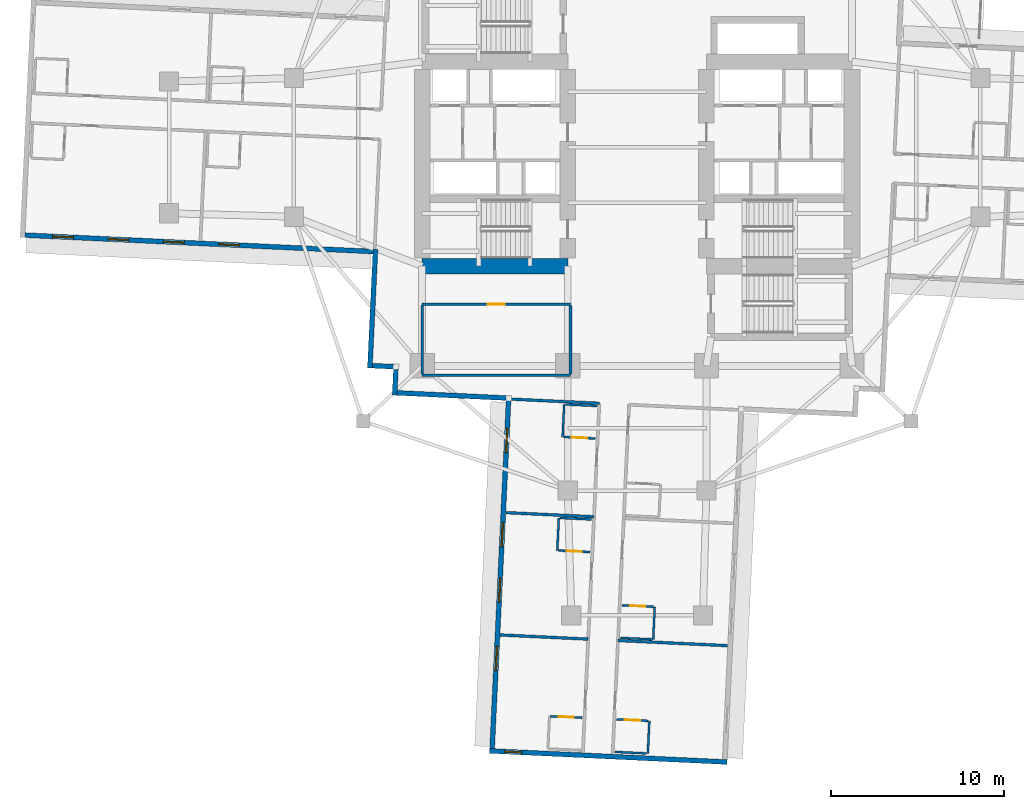
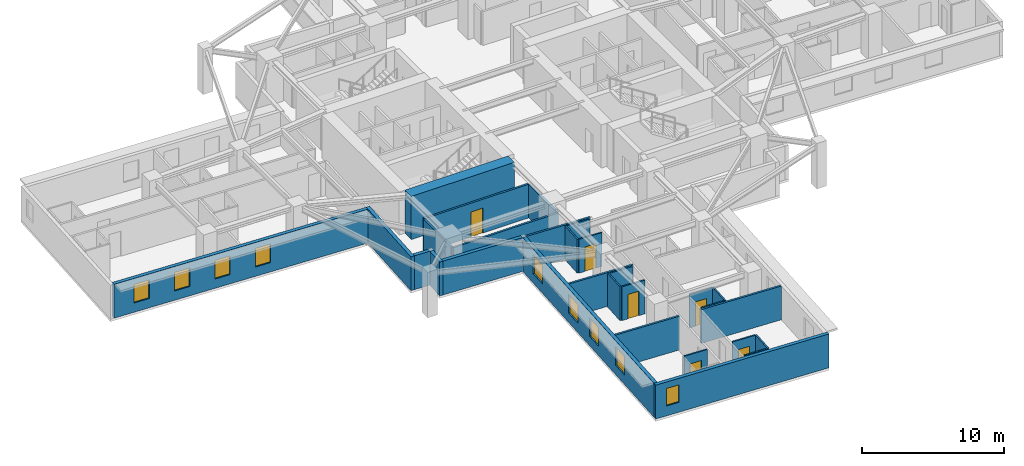
# One storey, part 3 of 14: 29 walls, 9 windows, 6 doors, 15 openings.
"""IFC4 building model written with IfcOpenShell, lengths in metres."""

from ifc_helpers import new_model, si_unit, direction, frame, frame_2d, origin, place, context, subcontext, project, spatial, rectangle, extrude, material, layer, layer_set, type_object, element, fill, save


model = new_model("IFC4")

# Units and contexts
model_context = context("Model", 3, precision=1e-05, world=origin(), true_north=direction((0.0, 1.0)))
body_context = subcontext(model_context, "Body", "Model", "MODEL_VIEW")
ifc_project = project(units=[si_unit("LENGTHUNIT", "METRE"), si_unit("AREAUNIT", "SQUARE_METRE"), si_unit("VOLUMEUNIT", "CUBIC_METRE"), si_unit("PLANEANGLEUNIT", "RADIAN"), si_unit("MASSUNIT", "GRAM", prefix="KILO")], contexts=[model_context])

# Site, building, storey
site_placement = place(None, origin())
site = spatial("IfcSite", under=ifc_project, at=site_placement, CompositionType="ELEMENT")
building_placement = place(site_placement, origin())
building = spatial("IfcBuilding", under=site, at=building_placement, Name="Qingluan Cross Belvedere", CompositionType="ELEMENT")
storey_placement = place(building_placement, frame((0.0, 0.0, 75.60009765625)))
storey = spatial("IfcBuildingStorey", under=building, at=storey_placement, Name="L19", CompositionType="ELEMENT", Elevation=75.60009765625)

# Walls
ifc_material_1 = material(Name="Concrete C70", Category="concrete")
ifc_layer_1 = layer(ifc_material_1, 0.89990234375, Name="CoreShearWall_900")
ifc_layer_set_1 = layer_set([ifc_layer_1], Name="Concrete C70")
wall_type_1 = type_object("IfcWallType", Name="CoreShearWall_900", PredefinedType="SHEAR", material=ifc_layer_set_1)
wall_1_placement = place(storey_placement, frame((-12.39990234375, -6.85009765625, 0.0), z_axis=(0.0, 0.0, 1.0), x_axis=(1.0, 0.0, 0.0)))
element("IfcWall", 1, at=wall_1_placement, inside=storey, type_object=wall_type_1, Name="Split core W shear wall L19-S", PredefinedType="SHEAR", context=body_context, shape_type="SweptSolid", body=[
    extrude(rectangle(XDim=8.39990234375, YDim=0.89990234375, at=frame_2d((4.199951171875, 0.0))), origin(), (0.0, 0.0, 1.0), 3.699951171875),
])
ifc_material_2 = material(Name="Gypsum plasterboard on steel stud acoustic partition", Category="steel")
ifc_layer_2 = layer(ifc_material_2, 0.159912109375, Name="CorridorPartition_160")
ifc_layer_set_2 = layer_set([ifc_layer_2], Name="Gypsum plasterboard on steel stud acoustic partition")
wall_type_2 = type_object("IfcWallType", Name="CorridorPartition_160", PredefinedType="PARTITIONING", material=ifc_layer_set_2)
wall_2_placement = place(storey_placement, frame((-12.39990234375, -13.14990234375, 0.0), z_axis=(0.0, 0.0, 1.0), x_axis=(1.0, 0.0, 0.0)))
element("IfcWall", 2, at=wall_2_placement, inside=storey, type_object=wall_type_2, Name="Partition L19:q_sw:S", PredefinedType="PARTITIONING", context=body_context, shape_type="SweptSolid", body=[
    extrude(rectangle(XDim=8.5498046875, YDim=0.159912109375, at=frame_2d((4.27490234375, 0.0))), origin(), (0.0, 0.0, 1.0), 2.89990234375),
])

# Wall, opening, door
wall_3_placement = place(storey_placement, frame((-12.39990234375, -9.050048828125, 0.0), z_axis=(0.0, 0.0, 1.0), x_axis=(1.0, 0.0, 0.0)))
wall_3 = element("IfcWall", 3, at=wall_3_placement, inside=storey, type_object=wall_type_2, Name="Partition L19:q_sw:N", PredefinedType="PARTITIONING", context=body_context, shape_type="SweptSolid", body=[
    extrude(rectangle(XDim=8.5498046875, YDim=0.159912109375, at=frame_2d((4.27490234375, 0.0))), origin(), (0.0, 0.0, 1.0), 2.89990234375),
])
opening_1_placement = place(wall_3_placement, frame((3.794921875, 0.0, 0.0)))
opening_1 = element("IfcOpeningElement", 4, at=opening_1_placement, cuts=wall_3, Name="Opening GD-10", PredefinedType="OPENING", context=body_context, shape_type="SweptSolid", body=[
    extrude(rectangle(XDim=0.9599609375, YDim=2.14990234375, at=frame_2d((0.47998046875, 1.074951171875))), frame((0.0, 0.08984375, 0.0), z_axis=(0.0, -1.0, 0.0), x_axis=(1.0, 0.0, 0.0)), (0.0, 0.0, 1.0), 0.179931640625),
])
ifc_material_3 = material(Name="Timber oak fire-rated acoustic guestroom door", Category="wood")
door_type_1 = type_object("IfcDoorType", Name="GuestEntryDoor_FD60", OperationType="NOTDEFINED", PredefinedType="DOOR", material=ifc_material_3)
door_1_placement = place(opening_1_placement, origin())
door_1 = element("IfcDoor", 5, at=door_1_placement, inside=storey, type_object=door_type_1, Name="Calligraphy study room L19 door", OperationType="SINGLE_SWING_RIGHT", OverallHeight=2.14990234375, OverallWidth=0.9599609375, PredefinedType="DOOR", context=body_context, shape_type="SweptSolid", body=[
    extrude(rectangle(XDim=0.9599609375, YDim=2.14990234375, at=frame_2d((0.47998046875, 1.074951171875))), frame((0.0, 0.02490234375, 0.0), z_axis=(0.0, -1.0, 0.0), x_axis=(1.0, 0.0, 0.0)), (0.0, 0.0, 1.0), 0.050048828125),
])
fill(opening_1, door_1)

# Walls
for number, where, z_axis, x_axis, name in (
    (6, (-12.39990234375, -13.06494140625, 0.0), (0.0, 0.0, 1.0), (0.0, 1.0, 0.0), "Partition L19:q_sw:W"),
    (7, (-3.85009765625, -13.06494140625, 0.0), (0.0, 0.0, 1.0), (0.0, 1.0, 0.0), "Partition L19:q_sw:E"),
):
    element("IfcWall", number, at=place(storey_placement, frame(where, z_axis=z_axis, x_axis=x_axis)), inside=storey, type_object=wall_type_2, Name=name, PredefinedType="PARTITIONING", context=body_context, shape_type="SweptSolid", body=[
        extrude(rectangle(XDim=3.929931640625, YDim=0.159912109375, at=frame_2d((1.96484375, 0.0))), origin(), (0.0, 0.0, 1.0), 2.89990234375),
    ])
wall_4_placement = place(storey_placement, frame((-1.101318359375, -28.45068359375, 0.0), z_axis=(0.0, 0.0, 1.0), x_axis=(0.99889113728, -0.047079675697, 0.0)))
element("IfcWall", 8, at=wall_4_placement, inside=storey, type_object=wall_type_2, Name="Partition L19:S:d0_1", PredefinedType="PARTITIONING", context=body_context, shape_type="SweptSolid", body=[
    extrude(rectangle(XDim=6.331787109375, YDim=0.159912109375, at=frame_2d((3.166015625, 0.0))), origin(), (0.0, 0.0, 1.0), 2.89990234375),
])
wall_5_placement = place(storey_placement, frame((-2.177978515625, -14.763916015625, 0.0), z_axis=(0.0, 0.0, 1.0), x_axis=(-0.998889957338, 0.047104703898, 0.0)))
element("IfcWall", 9, at=wall_5_placement, inside=storey, type_object=wall_type_2, Name="Partition L19:S:s1", PredefinedType="PARTITIONING", context=body_context, shape_type="SweptSolid", body=[
    extrude(rectangle(XDim=5.239990234375, YDim=0.159912109375, at=frame_2d((2.6201171875, 0.0))), origin(), (0.0, 0.0, 1.0), 2.89990234375),
])
for number, where, z_axis, x_axis, name in (
    (10, (-2.48681640625, -21.3125, 0.0), (0.0, 0.0, 1.0), (-0.998890911052, 0.047084475335, 0.0), "Partition L19:S:d1_0"),
    (11, (-2.819580078125, -28.36962890625, 0.0), (0.0, 0.0, 1.0), (-0.998890911052, 0.047084475335, 0.0), "Partition L19:S:d1_1"),
):
    element("IfcWall", number, at=place(storey_placement, frame(where, z_axis=z_axis, x_axis=x_axis)), inside=storey, type_object=wall_type_2, Name=name, PredefinedType="PARTITIONING", context=body_context, shape_type="SweptSolid", body=[
        extrude(rectangle(XDim=5.091796875, YDim=0.159912109375, at=frame_2d((2.5458984375, 0.0))), origin(), (0.0, 0.0, 1.0), 2.89990234375),
    ])

# Wall, opening, door
ifc_material_4 = material(Name="Moisture-resistant gypsum board lining")
ifc_layer_3 = layer(ifc_material_4, 0.1201171875, Name="EnsuiteWetPartition_120")
ifc_layer_set_3 = layer_set([ifc_layer_3], Name="Moisture-resistant gypsum board lining")
wall_type_3 = type_object("IfcWallType", Name="EnsuiteWetPartition_120", PredefinedType="PARTITIONING", material=ifc_layer_set_3)
wall_6_placement = place(storey_placement, frame((-0.865478515625, -26.419677734375, 0.0), z_axis=(0.0, 0.0, 1.0), x_axis=(0.998890786574, -0.047087116047, 0.0)))
wall_6 = element("IfcWall", 12, at=wall_6_placement, inside=storey, type_object=wall_type_3, Name="Partition L19:S:bs0_1", PredefinedType="PARTITIONING", context=body_context, shape_type="SweptSolid", body=[
    extrude(rectangle(XDim=1.81982421875, YDim=0.1201171875, at=frame_2d((0.909912109375, 0.0))), origin(), (0.0, 0.0, 1.0), 2.89990234375),
])
opening_2_placement = place(wall_6_placement, frame((0.469970703125, 0.0, 0.0)))
opening_2 = element("IfcOpeningElement", 13, at=opening_2_placement, cuts=wall_6, Name="Opening BD-09", PredefinedType="OPENING", context=body_context, shape_type="SweptSolid", body=[
    extrude(rectangle(XDim=0.8798828125, YDim=2.10009765625, at=frame_2d((0.43994140625, 1.050048828125))), frame((0.0, 0.070068359375, 0.0), z_axis=(0.0, -1.0, 0.0), x_axis=(1.0, 0.0, 0.0)), (0.0, 0.0, 1.0), 0.14013671875),
])
ifc_material_5 = material(Name="Moisture-sealed timber en-suite door", Category="wood")
door_type_2 = type_object("IfcDoorType", Name="BathroomDoor_880", OperationType="NOTDEFINED", PredefinedType="DOOR", material=ifc_material_5)
door_2_placement = place(opening_2_placement, origin())
door_2 = element("IfcDoor", 14, at=door_2_placement, inside=storey, type_object=door_type_2, Name="Bathroom door 1914", OperationType="SINGLE_SWING_RIGHT", OverallHeight=2.10009765625, OverallWidth=0.8798828125, PredefinedType="DOOR", context=body_context, shape_type="SweptSolid", body=[
    extrude(rectangle(XDim=0.8798828125, YDim=2.10009765625, at=frame_2d((0.43994140625, 1.050048828125))), frame((0.0, 0.02490234375, 0.0), z_axis=(0.0, -1.0, 0.0), x_axis=(1.0, 0.0, 0.0)), (0.0, 0.0, 1.0), 0.050048828125),
])
fill(opening_2, door_2)

# Walls
wall_7_placement = place(storey_placement, frame((-0.9541015625, -28.297607421875, 0.0), z_axis=(0.0, 0.0, 1.0), x_axis=(0.998891083954, -0.047080807099, 0.0)))
element("IfcWall", 15, at=wall_7_placement, inside=storey, type_object=wall_type_3, Name="Partition L19:S:bw0_1", PredefinedType="PARTITIONING", context=body_context, shape_type="SweptSolid", body=[
    extrude(rectangle(XDim=1.820068359375, YDim=0.1201171875, at=frame_2d((0.91015625, 0.0))), origin(), (0.0, 0.0, 1.0), 2.89990234375),
])
wall_8_placement = place(storey_placement, frame((1.017333984375, -26.50830078125, 0.0), z_axis=(0.0, 0.0, 1.0), x_axis=(-0.04700985207, -0.998894425757, 0.0)))
element("IfcWall", 16, at=wall_8_placement, inside=storey, type_object=wall_type_3, Name="Partition L19:S:bn0_1", PredefinedType="PARTITIONING", context=body_context, shape_type="SweptSolid", body=[
    extrude(rectangle(XDim=1.880126953125, YDim=0.1201171875, at=frame_2d((0.93994140625, 0.0))), origin(), (0.0, 0.0, 1.0), 2.89990234375),
])

# Wall, opening, door
wall_9_placement = place(storey_placement, frame((-1.17578125, -33.001220703125, 0.0), z_axis=(0.0, 0.0, 1.0), x_axis=(0.998890786574, -0.047087116047, 0.0)))
wall_9 = element("IfcWall", 17, at=wall_9_placement, inside=storey, type_object=wall_type_3, Name="Partition L19:S:bs0_2", PredefinedType="PARTITIONING", context=body_context, shape_type="SweptSolid", body=[
    extrude(rectangle(XDim=1.81982421875, YDim=0.1201171875, at=frame_2d((0.909912109375, 0.0))), origin(), (0.0, 0.0, 1.0), 2.89990234375),
])
opening_3_placement = place(wall_9_placement, frame((0.469970703125, 0.0, 0.0)))
opening_3 = element("IfcOpeningElement", 18, at=opening_3_placement, cuts=wall_9, Name="Opening BD-09", PredefinedType="OPENING", context=body_context, shape_type="SweptSolid", body=[
    extrude(rectangle(XDim=0.8798828125, YDim=2.10009765625, at=frame_2d((0.43994140625, 1.050048828125))), frame((0.0, 0.070068359375, 0.0), z_axis=(0.0, -1.0, 0.0), x_axis=(1.0, 0.0, 0.0)), (0.0, 0.0, 1.0), 0.14013671875),
])
door_3_placement = place(opening_3_placement, origin())
door_3 = element("IfcDoor", 19, at=door_3_placement, inside=storey, type_object=door_type_2, Name="Bathroom door 1915", OperationType="SINGLE_SWING_RIGHT", OverallHeight=2.10009765625, OverallWidth=0.8798828125, PredefinedType="DOOR", context=body_context, shape_type="SweptSolid", body=[
    extrude(rectangle(XDim=0.8798828125, YDim=2.10009765625, at=frame_2d((0.43994140625, 1.050048828125))), frame((0.0, 0.02490234375, 0.0), z_axis=(0.0, -1.0, 0.0), x_axis=(1.0, 0.0, 0.0)), (0.0, 0.0, 1.0), 0.050048828125),
])
fill(opening_3, door_3)

# Walls
wall_10_placement = place(storey_placement, frame((-1.264404296875, -34.879150390625, 0.0), z_axis=(0.0, 0.0, 1.0), x_axis=(0.998890786574, -0.047087116047, 0.0)))
element("IfcWall", 20, at=wall_10_placement, inside=storey, type_object=wall_type_3, Name="Partition L19:S:bw0_2", PredefinedType="PARTITIONING", context=body_context, shape_type="SweptSolid", body=[
    extrude(rectangle(XDim=1.81982421875, YDim=0.1201171875, at=frame_2d((0.909912109375, 0.0))), origin(), (0.0, 0.0, 1.0), 2.89990234375),
])
wall_11_placement = place(storey_placement, frame((0.70703125, -33.090087890625, 0.0), z_axis=(0.0, 0.0, 1.0), x_axis=(-0.047139425368, -0.998888319371, 0.0)))
element("IfcWall", 21, at=wall_11_placement, inside=storey, type_object=wall_type_3, Name="Partition L19:S:bn0_2", PredefinedType="PARTITIONING", context=body_context, shape_type="SweptSolid", body=[
    extrude(rectangle(XDim=1.880126953125, YDim=0.1201171875, at=frame_2d((0.93994140625, 0.0))), origin(), (0.0, 0.0, 1.0), 2.89990234375),
])

# Wall, opening, door
wall_12_placement = place(storey_placement, frame((-4.231689453125, -16.709228515625, 0.0), z_axis=(0.0, 0.0, 1.0), x_axis=(0.998890786574, -0.047087116047, 0.0)))
wall_12 = element("IfcWall", 22, at=wall_12_placement, inside=storey, type_object=wall_type_3, Name="Partition L19:S:bs1_0", PredefinedType="PARTITIONING", context=body_context, shape_type="SweptSolid", body=[
    extrude(rectangle(XDim=1.81982421875, YDim=0.1201171875, at=frame_2d((0.909912109375, 0.0))), origin(), (0.0, 0.0, 1.0), 2.89990234375),
])
opening_4_placement = place(wall_12_placement, frame((0.469970703125, 0.0, 0.0)))
opening_4 = element("IfcOpeningElement", 23, at=opening_4_placement, cuts=wall_12, Name="Opening BD-09", PredefinedType="OPENING", context=body_context, shape_type="SweptSolid", body=[
    extrude(rectangle(XDim=0.8798828125, YDim=2.10009765625, at=frame_2d((0.43994140625, 1.050048828125))), frame((0.0, 0.070068359375, 0.0), z_axis=(0.0, -1.0, 0.0), x_axis=(1.0, 0.0, 0.0)), (0.0, 0.0, 1.0), 0.14013671875),
])
door_4_placement = place(opening_4_placement, origin())
door_4 = element("IfcDoor", 24, at=door_4_placement, inside=storey, type_object=door_type_2, Name="Bathroom door 1916", OperationType="SINGLE_SWING_RIGHT", OverallHeight=2.10009765625, OverallWidth=0.8798828125, PredefinedType="DOOR", context=body_context, shape_type="SweptSolid", body=[
    extrude(rectangle(XDim=0.8798828125, YDim=2.10009765625, at=frame_2d((0.43994140625, 1.050048828125))), frame((0.0, 0.02490234375, 0.0), z_axis=(0.0, -1.0, 0.0), x_axis=(1.0, 0.0, 0.0)), (0.0, 0.0, 1.0), 0.050048828125),
])
fill(opening_4, door_4)

# Walls
wall_13_placement = place(storey_placement, frame((-4.143310546875, -14.831298828125, 0.0), z_axis=(0.0, 0.0, 1.0), x_axis=(0.998891083954, -0.047080807099, 0.0)))
element("IfcWall", 25, at=wall_13_placement, inside=storey, type_object=wall_type_3, Name="Partition L19:S:bw1_0", PredefinedType="PARTITIONING", context=body_context, shape_type="SweptSolid", body=[
    extrude(rectangle(XDim=1.820068359375, YDim=0.1201171875, at=frame_2d((0.91015625, 0.0))), origin(), (0.0, 0.0, 1.0), 2.89990234375),
])
wall_14_placement = place(storey_placement, frame((-4.208251953125, -14.828125, 0.0), z_axis=(0.0, 0.0, 1.0), x_axis=(-0.04700985207, -0.998894425757, 0.0)))
element("IfcWall", 26, at=wall_14_placement, inside=storey, type_object=wall_type_3, Name="Partition L19:S:bc1_0", PredefinedType="PARTITIONING", context=body_context, shape_type="SweptSolid", body=[
    extrude(rectangle(XDim=1.880126953125, YDim=0.1201171875, at=frame_2d((0.93994140625, 0.0))), origin(), (0.0, 0.0, 1.0), 2.89990234375),
])

# Wall, opening, door
wall_15_placement = place(storey_placement, frame((-4.54052734375, -23.2578125, 0.0), z_axis=(0.0, 0.0, 1.0), x_axis=(0.998884467853, -0.047220968666, 0.0)))
wall_15 = element("IfcWall", 27, at=wall_15_placement, inside=storey, type_object=wall_type_3, Name="Partition L19:S:bs1_1", PredefinedType="PARTITIONING", context=body_context, shape_type="SweptSolid", body=[
    extrude(rectangle(XDim=1.81982421875, YDim=0.1201171875, at=frame_2d((0.909912109375, 0.0))), origin(), (0.0, 0.0, 1.0), 2.89990234375),
])
opening_5_placement = place(wall_15_placement, frame((0.469970703125, 0.0, 0.0)))
opening_5 = element("IfcOpeningElement", 28, at=opening_5_placement, cuts=wall_15, Name="Opening BD-09", PredefinedType="OPENING", context=body_context, shape_type="SweptSolid", body=[
    extrude(rectangle(XDim=0.8798828125, YDim=2.10009765625, at=frame_2d((0.43994140625, 1.050048828125))), frame((0.0, 0.070068359375, 0.0), z_axis=(0.0, -1.0, 0.0), x_axis=(1.0, 0.0, 0.0)), (0.0, 0.0, 1.0), 0.14013671875),
])
door_5_placement = place(opening_5_placement, origin())
door_5 = element("IfcDoor", 29, at=door_5_placement, inside=storey, type_object=door_type_2, Name="Bathroom door 1917", OperationType="SINGLE_SWING_RIGHT", OverallHeight=2.10009765625, OverallWidth=0.8798828125, PredefinedType="DOOR", context=body_context, shape_type="SweptSolid", body=[
    extrude(rectangle(XDim=0.8798828125, YDim=2.10009765625, at=frame_2d((0.43994140625, 1.050048828125))), frame((0.0, 0.02490234375, 0.0), z_axis=(0.0, -1.0, 0.0), x_axis=(1.0, 0.0, 0.0)), (0.0, 0.0, 1.0), 0.050048828125),
])
fill(opening_5, door_5)

# Walls
wall_16_placement = place(storey_placement, frame((-4.4521484375, -21.3798828125, 0.0), z_axis=(0.0, 0.0, 1.0), x_axis=(0.998884766924, -0.047214641863, 0.0)))
element("IfcWall", 30, at=wall_16_placement, inside=storey, type_object=wall_type_3, Name="Partition L19:S:bw1_1", PredefinedType="PARTITIONING", context=body_context, shape_type="SweptSolid", body=[
    extrude(rectangle(XDim=1.820068359375, YDim=0.1201171875, at=frame_2d((0.91015625, 0.0))), origin(), (0.0, 0.0, 1.0), 2.89990234375),
])
wall_17_placement = place(storey_placement, frame((-4.51708984375, -21.376953125, 0.0), z_axis=(0.0, 0.0, 1.0), x_axis=(-0.047139425368, -0.998888319371, 0.0)))
element("IfcWall", 31, at=wall_17_placement, inside=storey, type_object=wall_type_3, Name="Partition L19:S:bc1_1", PredefinedType="PARTITIONING", context=body_context, shape_type="SweptSolid", body=[
    extrude(rectangle(XDim=1.880126953125, YDim=0.1201171875, at=frame_2d((0.93994140625, 0.0))), origin(), (0.0, 0.0, 1.0), 2.89990234375),
])

# Wall, opening, door
wall_18_placement = place(storey_placement, frame((-4.99169921875, -32.8212890625, 0.0), z_axis=(0.0, 0.0, 1.0), x_axis=(0.998891083954, -0.047080807099, 0.0)))
wall_18 = element("IfcWall", 32, at=wall_18_placement, inside=storey, type_object=wall_type_3, Name="Partition L19:S:bs1_2", PredefinedType="PARTITIONING", context=body_context, shape_type="SweptSolid", body=[
    extrude(rectangle(XDim=1.820068359375, YDim=0.1201171875, at=frame_2d((0.91015625, 0.0))), origin(), (0.0, 0.0, 1.0), 2.89990234375),
])
opening_6_placement = place(wall_18_placement, frame((0.469970703125, 0.0, 0.0)))
opening_6 = element("IfcOpeningElement", 33, at=opening_6_placement, cuts=wall_18, Name="Opening BD-09", PredefinedType="OPENING", context=body_context, shape_type="SweptSolid", body=[
    extrude(rectangle(XDim=0.8798828125, YDim=2.10009765625, at=frame_2d((0.43994140625, 1.050048828125))), frame((0.0, 0.070068359375, 0.0), z_axis=(0.0, -1.0, 0.0), x_axis=(1.0, 0.0, 0.0)), (0.0, 0.0, 1.0), 0.14013671875),
])
door_6_placement = place(opening_6_placement, origin())
door_6 = element("IfcDoor", 34, at=door_6_placement, inside=storey, type_object=door_type_2, Name="Bathroom door 1918", OperationType="SINGLE_SWING_RIGHT", OverallHeight=2.10009765625, OverallWidth=0.8798828125, PredefinedType="DOOR", context=body_context, shape_type="SweptSolid", body=[
    extrude(rectangle(XDim=0.8798828125, YDim=2.10009765625, at=frame_2d((0.43994140625, 1.050048828125))), frame((0.0, 0.02490234375, 0.0), z_axis=(0.0, -1.0, 0.0), x_axis=(1.0, 0.0, 0.0)), (0.0, 0.0, 1.0), 0.050048828125),
])
fill(opening_6, door_6)

# Wall, openings, windows
ifc_material_6 = material(Name="Precast concrete C45", Category="concrete")
ifc_layer_4 = layer(ifc_material_6, 0.280029296875, Name="PrecastFacadeWall_280")
ifc_layer_set_4 = layer_set([ifc_layer_4], Name="Precast concrete C45")
wall_type_4 = type_object("IfcWallType", Name="PrecastFacadeWall_280", PredefinedType="STANDARD", material=ifc_layer_set_4)
wall_19_placement = place(storey_placement, frame((-35.317626953125, -5.06201171875, 0.0), z_axis=(0.0, 0.0, 1.0), x_axis=(0.998890015344, -0.047103473814, 0.0)))
wall_19 = element("IfcWall", 35, at=wall_19_placement, inside=storey, type_object=wall_type_4, Name="Facade wall L19-WB", PredefinedType="STANDARD", context=body_context, shape_type="SweptSolid", body=[
    extrude(rectangle(XDim=20.099853515625, YDim=0.280029296875, at=frame_2d((10.0498046875, 0.0))), origin(), (0.0, 0.0, 1.0), 2.909912109375),
])
opening_7_placement = place(wall_19_placement, frame((1.60009765625, 0.0, 0.800048828125)))
opening_7 = element("IfcOpeningElement", 36, at=opening_7_placement, cuts=wall_19, Name="Opening W-02", PredefinedType="OPENING", context=body_context, shape_type="SweptSolid", body=[
    extrude(rectangle(XDim=1.199951171875, YDim=1.60009765625, at=frame_2d((0.60009765625, 0.800048828125))), frame((0.0, 0.14990234375, 0.0), z_axis=(0.0, -1.0, 0.0), x_axis=(1.0, 0.0, 0.0)), (0.0, 0.0, 1.0), 0.300048828125),
])
opening_8_placement = place(wall_19_placement, frame((4.800048828125, 0.0, 0.800048828125)))
opening_8 = element("IfcOpeningElement", 37, at=opening_8_placement, cuts=wall_19, Name="Opening W-02", PredefinedType="OPENING", context=body_context, shape_type="SweptSolid", body=[
    extrude(rectangle(XDim=1.199951171875, YDim=1.60009765625, at=frame_2d((0.60009765625, 0.800048828125))), frame((0.0, 0.14990234375, 0.0), z_axis=(0.0, -1.0, 0.0), x_axis=(1.0, 0.0, 0.0)), (0.0, 0.0, 1.0), 0.300048828125),
])
opening_9_placement = place(wall_19_placement, frame((8.0, 0.0, 0.800048828125)))
opening_9 = element("IfcOpeningElement", 38, at=opening_9_placement, cuts=wall_19, Name="Opening W-02", PredefinedType="OPENING", context=body_context, shape_type="SweptSolid", body=[
    extrude(rectangle(XDim=1.199951171875, YDim=1.60009765625, at=frame_2d((0.60009765625, 0.800048828125))), frame((0.0, 0.14990234375, 0.0), z_axis=(0.0, -1.0, 0.0), x_axis=(1.0, 0.0, 0.0)), (0.0, 0.0, 1.0), 0.300048828125),
])
opening_10_placement = place(wall_19_placement, frame((11.199951171875, 0.0, 0.800048828125)))
opening_10 = element("IfcOpeningElement", 39, at=opening_10_placement, cuts=wall_19, Name="Opening W-02", PredefinedType="OPENING", context=body_context, shape_type="SweptSolid", body=[
    extrude(rectangle(XDim=1.199951171875, YDim=1.60009765625, at=frame_2d((0.60009765625, 0.800048828125))), frame((0.0, 0.14990234375, 0.0), z_axis=(0.0, -1.0, 0.0), x_axis=(1.0, 0.0, 0.0)), (0.0, 0.0, 1.0), 0.300048828125),
])
ifc_material_7 = material(Name="Thermally broken triple Low-E glass in aluminium frame", Category="aluminium")
window_type_1 = type_object("IfcWindowType", Name="TriRibbonWin_1200x1600", PartitioningType="SINGLE_PANEL", PredefinedType="WINDOW", material=ifc_material_7)
window_1_placement = place(opening_7_placement, origin())
window_1 = element("IfcWindow", 40, at=window_1_placement, inside=storey, type_object=window_type_1, Name="Ribbon window L19-WB-1", OverallHeight=1.60009765625, OverallWidth=1.199951171875, PartitioningType="SINGLE_PANEL", PredefinedType="WINDOW", context=body_context, shape_type="SweptSolid", body=[
    extrude(rectangle(XDim=1.199951171875, YDim=1.60009765625, at=frame_2d((0.60009765625, 0.800048828125))), frame((0.0, 0.030029296875, 0.0), z_axis=(0.0, -1.0, 0.0), x_axis=(1.0, 0.0, 0.0)), (0.0, 0.0, 1.0), 0.06005859375),
])
fill(opening_7, window_1)
window_2_placement = place(opening_8_placement, origin())
window_2 = element("IfcWindow", 41, at=window_2_placement, inside=storey, type_object=window_type_1, Name="Ribbon window L19-WB-2", OverallHeight=1.60009765625, OverallWidth=1.199951171875, PartitioningType="SINGLE_PANEL", PredefinedType="WINDOW", context=body_context, shape_type="SweptSolid", body=[
    extrude(rectangle(XDim=1.199951171875, YDim=1.60009765625, at=frame_2d((0.60009765625, 0.800048828125))), frame((0.0, 0.030029296875, 0.0), z_axis=(0.0, -1.0, 0.0), x_axis=(1.0, 0.0, 0.0)), (0.0, 0.0, 1.0), 0.06005859375),
])
fill(opening_8, window_2)
window_3_placement = place(opening_9_placement, origin())
window_3 = element("IfcWindow", 42, at=window_3_placement, inside=storey, type_object=window_type_1, Name="Ribbon window L19-WB-3", OverallHeight=1.60009765625, OverallWidth=1.199951171875, PartitioningType="SINGLE_PANEL", PredefinedType="WINDOW", context=body_context, shape_type="SweptSolid", body=[
    extrude(rectangle(XDim=1.199951171875, YDim=1.60009765625, at=frame_2d((0.60009765625, 0.800048828125))), frame((0.0, 0.030029296875, 0.0), z_axis=(0.0, -1.0, 0.0), x_axis=(1.0, 0.0, 0.0)), (0.0, 0.0, 1.0), 0.06005859375),
])
fill(opening_9, window_3)
window_4_placement = place(opening_10_placement, origin())
window_4 = element("IfcWindow", 43, at=window_4_placement, inside=storey, type_object=window_type_1, Name="Ribbon window L19-WB-4", OverallHeight=1.60009765625, OverallWidth=1.199951171875, PartitioningType="SINGLE_PANEL", PredefinedType="WINDOW", context=body_context, shape_type="SweptSolid", body=[
    extrude(rectangle(XDim=1.199951171875, YDim=1.60009765625, at=frame_2d((0.60009765625, 0.800048828125))), frame((0.0, 0.030029296875, 0.0), z_axis=(0.0, -1.0, 0.0), x_axis=(1.0, 0.0, 0.0)), (0.0, 0.0, 1.0), 0.06005859375),
])
fill(opening_10, window_4)

wall_20_placement = place(storey_placement, frame((-7.416259765625, -14.60693359375, 0.0), z_axis=(0.0, 0.0, 1.0), x_axis=(-0.047103473814, -0.998890015344, 0.0)))
wall_20 = element("IfcWall", 44, at=wall_20_placement, inside=storey, type_object=wall_type_4, Name="Facade wall L19-SA", PredefinedType="STANDARD", context=body_context, shape_type="SweptSolid", body=[
    extrude(rectangle(XDim=20.099853515625, YDim=0.280029296875, at=frame_2d((10.0498046875, 0.0))), origin(), (0.0, 0.0, 1.0), 2.909912109375),
])
opening_11_placement = place(wall_20_placement, frame((1.60009765625, 0.0, 0.800048828125)))
opening_11 = element("IfcOpeningElement", 45, at=opening_11_placement, cuts=wall_20, Name="Opening W-01", PredefinedType="OPENING", context=body_context, shape_type="SweptSolid", body=[
    extrude(rectangle(XDim=1.39990234375, YDim=1.60009765625, at=frame_2d((0.699951171875, 0.800048828125))), frame((0.0, 0.14990234375, 0.0), z_axis=(0.0, -1.0, 0.0), x_axis=(1.0, 0.0, 0.0)), (0.0, 0.0, 1.0), 0.300048828125),
])
opening_12_placement = place(wall_20_placement, frame((7.050048828125, 0.0, 0.800048828125)))
opening_12 = element("IfcOpeningElement", 46, at=opening_12_placement, cuts=wall_20, Name="Opening W-01", PredefinedType="OPENING", context=body_context, shape_type="SweptSolid", body=[
    extrude(rectangle(XDim=1.39990234375, YDim=1.60009765625, at=frame_2d((0.699951171875, 0.800048828125))), frame((0.0, 0.14990234375, 0.0), z_axis=(0.0, -1.0, 0.0), x_axis=(1.0, 0.0, 0.0)), (0.0, 0.0, 1.0), 0.300048828125),
])
opening_13_placement = place(wall_20_placement, frame((10.25, 0.0, 0.800048828125)))
opening_13 = element("IfcOpeningElement", 47, at=opening_13_placement, cuts=wall_20, Name="Opening W-01", PredefinedType="OPENING", context=body_context, shape_type="SweptSolid", body=[
    extrude(rectangle(XDim=1.39990234375, YDim=1.60009765625, at=frame_2d((0.699951171875, 0.800048828125))), frame((0.0, 0.14990234375, 0.0), z_axis=(0.0, -1.0, 0.0), x_axis=(1.0, 0.0, 0.0)), (0.0, 0.0, 1.0), 0.300048828125),
])
opening_14_placement = place(wall_20_placement, frame((14.199951171875, 0.0, 0.800048828125)))
opening_14 = element("IfcOpeningElement", 48, at=opening_14_placement, cuts=wall_20, Name="Opening W-01", PredefinedType="OPENING", context=body_context, shape_type="SweptSolid", body=[
    extrude(rectangle(XDim=1.39990234375, YDim=1.60009765625, at=frame_2d((0.699951171875, 0.800048828125))), frame((0.0, 0.14990234375, 0.0), z_axis=(0.0, -1.0, 0.0), x_axis=(1.0, 0.0, 0.0)), (0.0, 0.0, 1.0), 0.300048828125),
])
ifc_material_8 = material(Name="Thermally broken triple Low-E glass in aluminium frame", Category="aluminium")
window_type_2 = type_object("IfcWindowType", Name="TriRibbonWin_1400x1600", PartitioningType="SINGLE_PANEL", PredefinedType="WINDOW", material=ifc_material_8)
window_5_placement = place(opening_11_placement, origin())
window_5 = element("IfcWindow", 49, at=window_5_placement, inside=storey, type_object=window_type_2, Name="Ribbon window L19-SA-1", OverallHeight=1.60009765625, OverallWidth=1.39990234375, PartitioningType="SINGLE_PANEL", PredefinedType="WINDOW", context=body_context, shape_type="SweptSolid", body=[
    extrude(rectangle(XDim=1.39990234375, YDim=1.60009765625, at=frame_2d((0.699951171875, 0.800048828125))), frame((0.0, 0.030029296875, 0.0), z_axis=(0.0, -1.0, 0.0), x_axis=(1.0, 0.0, 0.0)), (0.0, 0.0, 1.0), 0.06005859375),
])
fill(opening_11, window_5)
window_6_placement = place(opening_12_placement, origin())
window_6 = element("IfcWindow", 50, at=window_6_placement, inside=storey, type_object=window_type_2, Name="Ribbon window L19-SA-2", OverallHeight=1.60009765625, OverallWidth=1.39990234375, PartitioningType="SINGLE_PANEL", PredefinedType="WINDOW", context=body_context, shape_type="SweptSolid", body=[
    extrude(rectangle(XDim=1.39990234375, YDim=1.60009765625, at=frame_2d((0.699951171875, 0.800048828125))), frame((0.0, 0.030029296875, 0.0), z_axis=(0.0, -1.0, 0.0), x_axis=(1.0, 0.0, 0.0)), (0.0, 0.0, 1.0), 0.06005859375),
])
fill(opening_12, window_6)
window_7_placement = place(opening_13_placement, origin())
window_7 = element("IfcWindow", 51, at=window_7_placement, inside=storey, type_object=window_type_2, Name="Ribbon window L19-SA-3", OverallHeight=1.60009765625, OverallWidth=1.39990234375, PartitioningType="SINGLE_PANEL", PredefinedType="WINDOW", context=body_context, shape_type="SweptSolid", body=[
    extrude(rectangle(XDim=1.39990234375, YDim=1.60009765625, at=frame_2d((0.699951171875, 0.800048828125))), frame((0.0, 0.030029296875, 0.0), z_axis=(0.0, -1.0, 0.0), x_axis=(1.0, 0.0, 0.0)), (0.0, 0.0, 1.0), 0.06005859375),
])
fill(opening_13, window_7)
window_8_placement = place(opening_14_placement, origin())
window_8 = element("IfcWindow", 52, at=window_8_placement, inside=storey, type_object=window_type_2, Name="Ribbon window L19-SA-4", OverallHeight=1.60009765625, OverallWidth=1.39990234375, PartitioningType="SINGLE_PANEL", PredefinedType="WINDOW", context=body_context, shape_type="SweptSolid", body=[
    extrude(rectangle(XDim=1.39990234375, YDim=1.60009765625, at=frame_2d((0.699951171875, 0.800048828125))), frame((0.0, 0.030029296875, 0.0), z_axis=(0.0, -1.0, 0.0), x_axis=(1.0, 0.0, 0.0)), (0.0, 0.0, 1.0), 0.06005859375),
])
fill(opening_14, window_8)

# Wall, opening, window
wall_21_placement = place(storey_placement, frame((-8.509521484375, -34.81787109375, 0.0), z_axis=(0.0, 0.0, 1.0), x_axis=(0.998890092147, -0.047101845086, 0.0)))
wall_21 = element("IfcWall", 53, at=wall_21_placement, inside=storey, type_object=wall_type_4, Name="Arm tip precast facade wall L19-S", PredefinedType="STANDARD", context=body_context, shape_type="SweptSolid", body=[
    extrude(rectangle(XDim=13.719970703125, YDim=0.280029296875, at=frame_2d((6.85986328125, 0.0))), origin(), (0.0, 0.0, 1.0), 2.909912109375),
])
opening_15_placement = place(wall_21_placement, frame((0.85009765625, 0.0, 0.85009765625)))
opening_15 = element("IfcOpeningElement", 54, at=opening_15_placement, cuts=wall_21, Name="Opening W-03", PredefinedType="OPENING", context=body_context, shape_type="SweptSolid", body=[
    extrude(rectangle(XDim=1.0, YDim=1.5, at=frame_2d((0.5, 0.75))), frame((0.0, 0.14990234375, 0.0), z_axis=(0.0, -1.0, 0.0), x_axis=(1.0, 0.0, 0.0)), (0.0, 0.0, 1.0), 0.300048828125),
])
ifc_material_9 = material(Name="Thermally broken triple Low-E glass in aluminium frame", Category="aluminium")
window_type_3 = type_object("IfcWindowType", Name="TriApexWin_1000x1500", PartitioningType="SINGLE_PANEL", PredefinedType="WINDOW", material=ifc_material_9)
window_9_placement = place(opening_15_placement, origin())
window_9 = element("IfcWindow", 55, at=window_9_placement, inside=storey, type_object=window_type_3, Name="Arm tip triangular window L19-S", OverallHeight=1.5, OverallWidth=1.0, PartitioningType="SINGLE_PANEL", PredefinedType="WINDOW", context=body_context, shape_type="SweptSolid", body=[
    extrude(rectangle(XDim=1.0, YDim=1.5, at=frame_2d((0.5, 0.75))), frame((0.0, 0.030029296875, 0.0), z_axis=(0.0, -1.0, 0.0), x_axis=(1.0, 0.0, 0.0)), (0.0, 0.0, 1.0), 0.06005859375),
])
fill(opening_15, window_9)

# Walls
wall_22_placement = place(storey_placement, frame((-15.093505859375, -5.87548828125, 0.0), z_axis=(0.0, 0.0, 1.0), x_axis=(-0.04712043756, -0.998889215261, 0.0)))
element("IfcWall", 56, at=wall_22_placement, inside=storey, type_object=wall_type_4, Name="Corner wall L19-SW1", PredefinedType="STANDARD", context=body_context, shape_type="SweptSolid", body=[
    extrude(rectangle(XDim=6.85986328125, YDim=0.280029296875, at=frame_2d((3.429931640625, 0.0))), origin(), (0.0, 0.0, 1.0), 2.909912109375),
])
wall_23_placement = place(storey_placement, frame((-15.270263671875, -12.5947265625, 0.0), z_axis=(0.0, 0.0, 1.0), x_axis=(0.998893795343, -0.047023245574, 0.0)))
element("IfcWall", 57, at=wall_23_placement, inside=storey, type_object=wall_type_4, Name="Corner wall L19-SW2", PredefinedType="STANDARD", context=body_context, shape_type="SweptSolid", body=[
    extrude(rectangle(XDim=1.22021484375, YDim=0.280029296875, at=frame_2d((0.610107421875, 0.0))), origin(), (0.0, 0.0, 1.0), 2.909912109375),
])
wall_24_placement = place(storey_placement, frame((-13.918212890625, -12.798583984375, 0.0), z_axis=(0.0, 0.0, 1.0), x_axis=(-0.047201688113, -0.99888537913, 0.0)))
element("IfcWall", 58, at=wall_24_placement, inside=storey, type_object=wall_type_4, Name="Corner wall L19-SW3", PredefinedType="STANDARD", context=body_context, shape_type="SweptSolid", body=[
    extrude(rectangle(XDim=1.5, YDim=0.280029296875, at=frame_2d((0.75, 0.0))), origin(), (0.0, 0.0, 1.0), 2.909912109375),
])
wall_25_placement = place(storey_placement, frame((-13.842529296875, -14.16357421875, 0.0), z_axis=(0.0, 0.0, 1.0), x_axis=(0.998889082162, -0.047123258997, 0.0)))
element("IfcWall", 59, at=wall_25_placement, inside=storey, type_object=wall_type_4, Name="Corner wall L19-SW4", PredefinedType="STANDARD", context=body_context, shape_type="SweptSolid", body=[
    extrude(rectangle(XDim=6.300048828125, YDim=0.280029296875, at=frame_2d((3.14990234375, 0.0))), origin(), (0.0, 0.0, 1.0), 2.909912109375),
])

save(model, "model.ifc")
